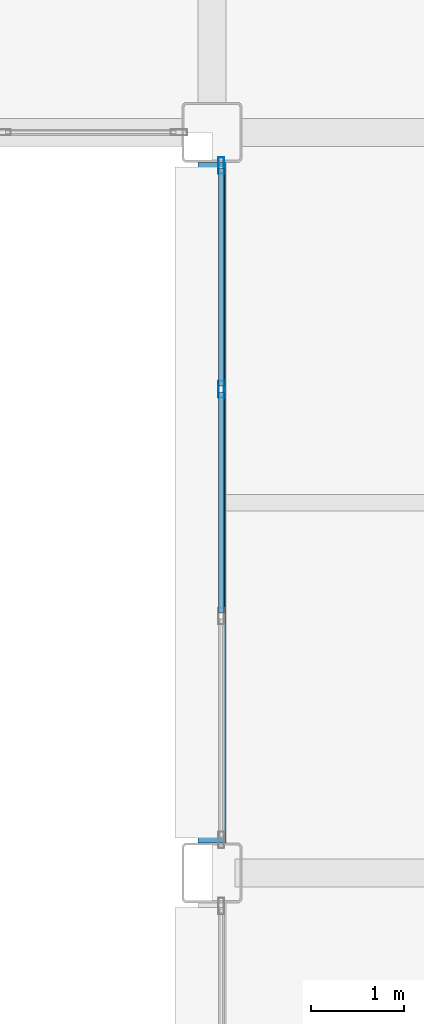
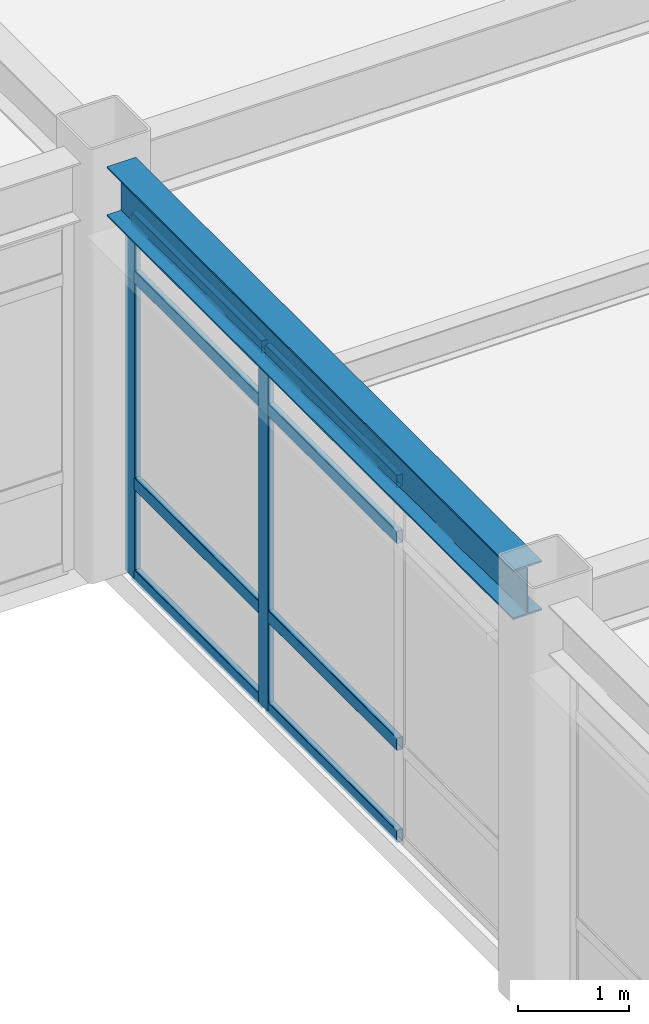
# One storey, part 46 of 93: 10 members, 1 beam, 1 element without a shape of its own.
"""IFC4 building model written with IfcOpenShell, lengths in metres."""

from ifc_helpers import new_model, si_unit, direction, frame, origin, origin_2d, place, context, subcontext, project, spatial, hollow_rectangle, i_section, extrude, material, layer, layer_set, material_profile, profile_set, type_object, element, aggregate, save


model = new_model("IFC4")

# Units and contexts
model_context = context("Model", 3, precision=1e-05, world=origin(), true_north=direction((0.0, 1.0)))
body_context = subcontext(model_context, "Body", "Model", "MODEL_VIEW")
ifc_project = project(units=[si_unit("LENGTHUNIT", "METRE"), si_unit("AREAUNIT", "SQUARE_METRE"), si_unit("VOLUMEUNIT", "CUBIC_METRE"), si_unit("PLANEANGLEUNIT", "RADIAN"), si_unit("MASSUNIT", "GRAM", prefix="KILO")], contexts=[model_context])

# Site, building, storey
site_placement = place(None, origin())
site = spatial("IfcSite", under=ifc_project, at=site_placement, CompositionType="ELEMENT")
building_placement = place(site_placement, origin())
building = spatial("IfcBuilding", under=site, at=building_placement, Name="Kazehara Bluff Congress Hotel", CompositionType="ELEMENT")
storey_placement = place(building_placement, frame((0.0, 0.0, 15.0)))
storey = spatial("IfcBuildingStorey", under=building, at=storey_placement, Name="L03", CompositionType="ELEMENT", Elevation=15.0)

# Curtain wall, members
ifc_material_1 = material(Name="Anodised aluminium", Category="aluminium")
ifc_layer = layer(ifc_material_1, 0.159912109375)
ifc_layer_set = layer_set([ifc_layer], Name="Anodised aluminium")
curtain_wall_type = type_object("IfcCurtainWallType", Name="TP-CW-153", PredefinedType="NOTDEFINED", material=ifc_layer_set)
curtain_wall_placement = place(storey_placement, origin())
curtain_wall = element("IfcCurtainWall", 1, at=curtain_wall_placement, inside=storey, type_object=curtain_wall_type, Name="L03 curtain wall CW-153 CW-ENC-V5-L03-14380-1200", PredefinedType="NOTDEFINED")
ifc_material_2 = material(Name="Anodised aluminium", Category="aluminium")
ifc_material_profile_1 = material_profile(ifc_material_2, hollow_rectangle(XDim=0.06494140625, YDim=0.179931640625, WallThickness=0.00390625, InnerFilletRadius=0.00390625, OuterFilletRadius=0.008056640625, at=origin_2d()))
ifc_profile_set_1 = profile_set([ifc_material_profile_1], Name="Anodised aluminium")
member_type_1 = type_object("IfcMemberType", Name="TP-CWM-02", PredefinedType="MULLION", material=ifc_profile_set_1)
member_1_placement = place(storey_placement, frame((143.800048828125, 13.22509765625, 0.0), z_axis=(0.0, 0.0, 1.0), x_axis=(-1.0, 0.0, 0.0)))
member_1 = element("IfcMember", 2, at=member_1_placement, type_object=member_type_1, Name="CW-153 mullion 3", PredefinedType="MULLION", context=body_context, shape_type="SweptSolid", body=[
    extrude(hollow_rectangle(XDim=0.06494140625, YDim=0.179931640625, WallThickness=0.00390625, InnerFilletRadius=0.00390625, OuterFilletRadius=0.008056640625, at=origin_2d()), origin(), (0.0, 0.0, 1.0), 3.985107421875),
])
member_2_placement = place(storey_placement, frame((143.800048828125, 15.642578125, 0.0), z_axis=(0.0, 0.0, 1.0), x_axis=(-1.0, 0.0, 0.0)))
member_2 = element("IfcMember", 3, at=member_2_placement, type_object=member_type_1, Name="CW-153 mullion 4", PredefinedType="MULLION", context=body_context, shape_type="SweptSolid", body=[
    extrude(hollow_rectangle(XDim=0.06494140625, YDim=0.179931640625, WallThickness=0.00390625, InnerFilletRadius=0.00390625, OuterFilletRadius=0.008056640625, at=origin_2d()), origin(), (0.0, 0.0, 1.0), 3.985107421875),
])
ifc_material_3 = material(Name="Anodised aluminium", Category="aluminium")
ifc_material_profile_2 = material_profile(ifc_material_3, hollow_rectangle(XDim=0.06494140625, YDim=0.139892578125, WallThickness=0.00390625, InnerFilletRadius=0.00390625, OuterFilletRadius=0.008056640625, at=origin_2d()))
ifc_profile_set_2 = profile_set([ifc_material_profile_2], Name="Anodised aluminium")
member_type_2 = type_object("IfcMemberType", Name="TP-CWT-02", PredefinedType="USERDEFINED", material=ifc_profile_set_2)
member_3_placement = place(storey_placement, frame((143.800048828125, 10.8076171875, 0.032470703125), z_axis=(0.0, 1.0, 0.0), x_axis=(-1.0, 0.0, 0.0)))
member_3 = element("IfcMember", 4, at=member_3_placement, type_object=member_type_2, Name="CW-153 transom 2.1", ObjectType="TRANSOM", PredefinedType="USERDEFINED", context=body_context, shape_type="SweptSolid", body=[
    extrude(hollow_rectangle(XDim=0.06494140625, YDim=0.139892578125, WallThickness=0.00390625, InnerFilletRadius=0.00390625, OuterFilletRadius=0.008056640625, at=origin_2d()), origin(), (0.0, 0.0, 1.0), 2.384765625),
])
member_4_placement = place(storey_placement, frame((143.800048828125, 10.8076171875, 1.050048828125), z_axis=(0.0, 1.0, 0.0), x_axis=(-1.0, 0.0, 0.0)))
member_4 = element("IfcMember", 5, at=member_4_placement, type_object=member_type_2, Name="CW-153 transom 2.2", ObjectType="TRANSOM", PredefinedType="USERDEFINED", context=body_context, shape_type="SweptSolid", body=[
    extrude(hollow_rectangle(XDim=0.06494140625, YDim=0.139892578125, WallThickness=0.00390625, InnerFilletRadius=0.00390625, OuterFilletRadius=0.008056640625, at=origin_2d()), origin(), (0.0, 0.0, 1.0), 2.384765625),
])
member_5_placement = place(storey_placement, frame((143.800048828125, 10.8076171875, 3.3349609375), z_axis=(0.0, 1.0, 0.0), x_axis=(-1.0, 0.0, 0.0)))
member_5 = element("IfcMember", 6, at=member_5_placement, type_object=member_type_2, Name="CW-153 transom 2.3", ObjectType="TRANSOM", PredefinedType="USERDEFINED", context=body_context, shape_type="SweptSolid", body=[
    extrude(hollow_rectangle(XDim=0.06494140625, YDim=0.139892578125, WallThickness=0.00390625, InnerFilletRadius=0.00390625, OuterFilletRadius=0.008056640625, at=origin_2d()), origin(), (0.0, 0.0, 1.0), 2.384765625),
])
member_6_placement = place(storey_placement, frame((143.800048828125, 10.8076171875, 3.952392578125), z_axis=(0.0, 1.0, 0.0), x_axis=(-1.0, 0.0, 0.0)))
member_6 = element("IfcMember", 7, at=member_6_placement, type_object=member_type_2, Name="CW-153 transom 2.4", ObjectType="TRANSOM", PredefinedType="USERDEFINED", context=body_context, shape_type="SweptSolid", body=[
    extrude(hollow_rectangle(XDim=0.06494140625, YDim=0.139892578125, WallThickness=0.00390625, InnerFilletRadius=0.00390625, OuterFilletRadius=0.008056640625, at=origin_2d()), origin(), (0.0, 0.0, 1.0), 2.384765625),
])
member_7_placement = place(storey_placement, frame((143.800048828125, 13.257568359375, 0.032470703125), z_axis=(0.0, 1.0, 0.0), x_axis=(-1.0, 0.0, 0.0)))
member_7 = element("IfcMember", 8, at=member_7_placement, type_object=member_type_2, Name="CW-153 transom 3.1", ObjectType="TRANSOM", PredefinedType="USERDEFINED", context=body_context, shape_type="SweptSolid", body=[
    extrude(hollow_rectangle(XDim=0.06494140625, YDim=0.139892578125, WallThickness=0.00390625, InnerFilletRadius=0.00390625, OuterFilletRadius=0.008056640625, at=origin_2d()), origin(), (0.0, 0.0, 1.0), 2.3525390625),
])
member_8_placement = place(storey_placement, frame((143.800048828125, 13.257568359375, 1.050048828125), z_axis=(0.0, 1.0, 0.0), x_axis=(-1.0, 0.0, 0.0)))
member_8 = element("IfcMember", 9, at=member_8_placement, type_object=member_type_2, Name="CW-153 transom 3.2", ObjectType="TRANSOM", PredefinedType="USERDEFINED", context=body_context, shape_type="SweptSolid", body=[
    extrude(hollow_rectangle(XDim=0.06494140625, YDim=0.139892578125, WallThickness=0.00390625, InnerFilletRadius=0.00390625, OuterFilletRadius=0.008056640625, at=origin_2d()), origin(), (0.0, 0.0, 1.0), 2.3525390625),
])
member_9_placement = place(storey_placement, frame((143.800048828125, 13.257568359375, 3.3349609375), z_axis=(0.0, 1.0, 0.0), x_axis=(-1.0, 0.0, 0.0)))
member_9 = element("IfcMember", 10, at=member_9_placement, type_object=member_type_2, Name="CW-153 transom 3.3", ObjectType="TRANSOM", PredefinedType="USERDEFINED", context=body_context, shape_type="SweptSolid", body=[
    extrude(hollow_rectangle(XDim=0.06494140625, YDim=0.139892578125, WallThickness=0.00390625, InnerFilletRadius=0.00390625, OuterFilletRadius=0.008056640625, at=origin_2d()), origin(), (0.0, 0.0, 1.0), 2.3525390625),
])
member_10_placement = place(storey_placement, frame((143.800048828125, 13.257568359375, 3.952392578125), z_axis=(0.0, 1.0, 0.0), x_axis=(-1.0, 0.0, 0.0)))
member_10 = element("IfcMember", 11, at=member_10_placement, type_object=member_type_2, Name="CW-153 transom 3.4", ObjectType="TRANSOM", PredefinedType="USERDEFINED", context=body_context, shape_type="SweptSolid", body=[
    extrude(hollow_rectangle(XDim=0.06494140625, YDim=0.139892578125, WallThickness=0.00390625, InnerFilletRadius=0.00390625, OuterFilletRadius=0.008056640625, at=origin_2d()), origin(), (0.0, 0.0, 1.0), 2.3525390625),
])
aggregate(curtain_wall, [member_1, member_2, member_3, member_4, member_5, member_6, member_7, member_8, member_9, member_10])

# Beam
ifc_material_4 = material(Name="Steel SN490B", Category="steel")
ifc_material_profile_3 = material_profile(ifc_material_4, i_section(OverallWidth=0.300048828125, OverallDepth=0.550048828125, WebThickness=0.010986328125, FlangeThickness=0.01806640625, FilletRadius=0.012939453125, at=origin_2d()))
ifc_profile_set_3 = profile_set([ifc_material_profile_3], Name="Steel SN490B")
beam_type = type_object("IfcBeamType", Name="TP-SP-01", PredefinedType="SPANDREL", material=ifc_profile_set_3)
beam_placement = place(storey_placement, frame((143.699951171875, 8.324951171875, 4.284912109375), z_axis=(0.0, 1.0, 0.0), x_axis=(-1.0, 0.0, 0.0)))
element("IfcBeam", 12, at=beam_placement, inside=storey, type_object=beam_type, Name="L03 girder SP-01 110", PredefinedType="SPANDREL", context=body_context, shape_type="SweptSolid", body=[
    extrude(i_section(OverallWidth=0.300048828125, OverallDepth=0.550048828125, WebThickness=0.010986328125, FlangeThickness=0.01806640625, FilletRadius=0.012939453125, at=origin_2d()), origin(), (0.0, 0.0, 1.0), 7.35009765625),
])

save(model, "model.ifc")
